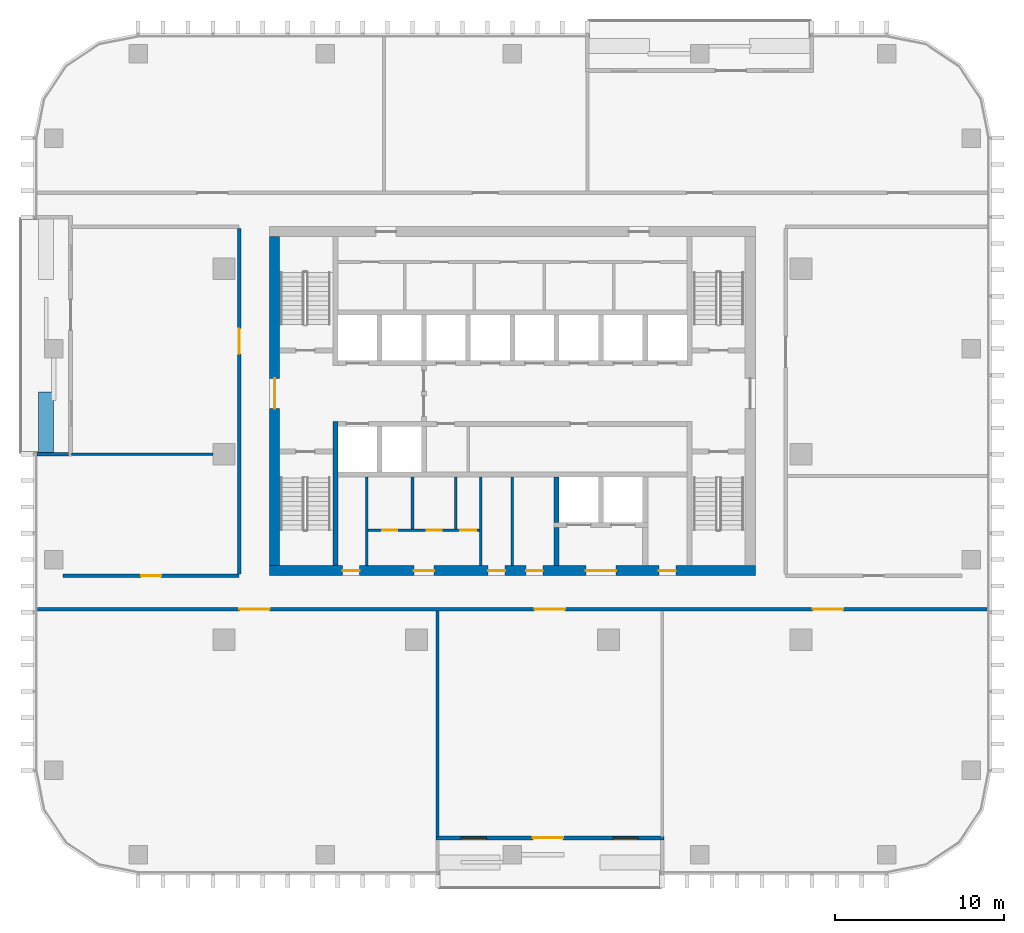
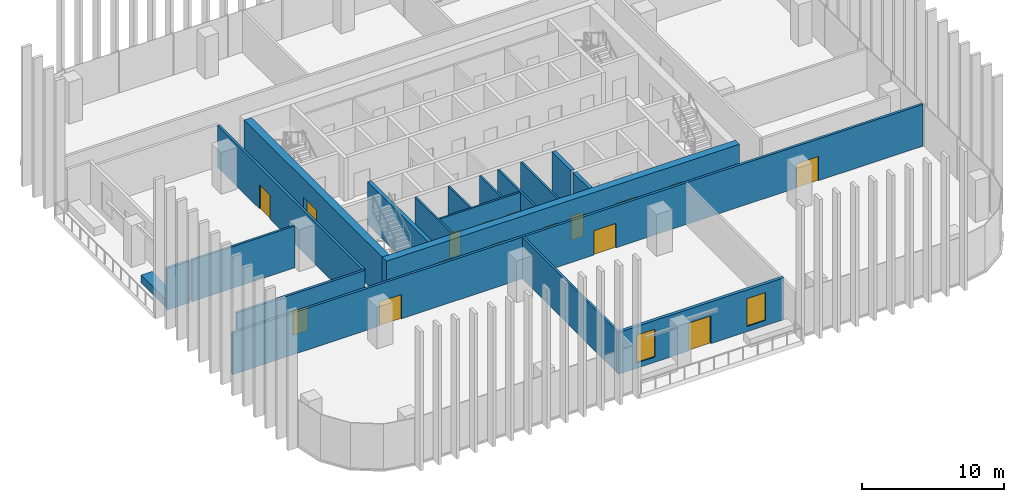
# One storey, part 7 of 16: 19 walls, 16 doors, 2 windows, 18 openings.
"""IFC4 building model written with IfcOpenShell, lengths in metres."""

from ifc_helpers import new_model, si_unit, direction, frame, frame_2d, origin, place, context, subcontext, project, spatial, rectangle, extrude, material, layer, layer_set, type_object, element, fill, save


model = new_model("IFC4")

# Units and contexts
model_context = context("Model", 3, precision=1e-05, world=origin(), true_north=direction((0.0, 1.0)))
body_context = subcontext(model_context, "Body", "Model", "MODEL_VIEW")
ifc_project = project(units=[si_unit("LENGTHUNIT", "METRE"), si_unit("AREAUNIT", "SQUARE_METRE"), si_unit("VOLUMEUNIT", "CUBIC_METRE"), si_unit("PLANEANGLEUNIT", "RADIAN"), si_unit("MASSUNIT", "GRAM", prefix="KILO")], contexts=[model_context])

# Site, building, storey
site_placement = place(None, origin())
site = spatial("IfcSite", under=ifc_project, at=site_placement, CompositionType="ELEMENT")
building_placement = place(site_placement, origin())
building = spatial("IfcBuilding", under=site, at=building_placement, Name="Mopane Tessera Tower", CompositionType="ELEMENT")
storey_placement = place(building_placement, frame((0.0, 0.0, 235.0)))
storey = spatial("IfcBuildingStorey", under=building, at=storey_placement, Name="L50", CompositionType="ELEMENT", Elevation=235.0)

# Wall
ifc_material_1 = material(Name="Fire-rated gypsum board partition")
ifc_layer_1 = layer(ifc_material_1, 0.14990234375)
ifc_layer_set_1 = layer_set([ifc_layer_1], Name="Fire-rated gypsum board partition")
wall_type_1 = type_object("IfcWallType", Name="Core room partition 150 mm", PredefinedType="PARTITIONING", material=ifc_layer_set_1)
wall_1_placement = place(storey_placement, frame((-8.625, -6.60009765625, 0.0), z_axis=(0.0, 0.0, 1.0), x_axis=(0.0, 1.0, 0.0)))
element("IfcWall", 1, at=wall_1_placement, inside=storey, type_object=wall_type_1, Name="L50 Room partition", PredefinedType="PARTITIONING", context=body_context, shape_type="SweptSolid", body=[
    extrude(rectangle(XDim=5.25, YDim=0.14990234375, at=frame_2d((2.625, 0.0))), origin(), (0.0, 0.0, 1.0), 3.699951171875),
])

# Wall, openings, doors
wall_2_placement = place(storey_placement, frame((-8.550048828125, -4.5, 0.0), z_axis=(0.0, 0.0, 1.0), x_axis=(1.0, 0.0, 0.0)))
wall_2 = element("IfcWall", 2, at=wall_2_placement, inside=storey, type_object=wall_type_1, Name="L50 WC partition", PredefinedType="PARTITIONING", context=body_context, shape_type="SweptSolid", body=[
    extrude(rectangle(XDim=6.60009765625, YDim=0.14990234375, at=frame_2d((3.300048828125, 0.0))), origin(), (0.0, 0.0, 1.0), 3.699951171875),
])
opening_1_placement = place(wall_2_placement, frame((0.824951171875, 0.0, 0.0)))
opening_1 = element("IfcOpeningElement", 3, at=opening_1_placement, cuts=wall_2, Name="Opening WD1", PredefinedType="OPENING", context=body_context, shape_type="SweptSolid", body=[
    extrude(rectangle(XDim=0.89990234375, YDim=2.10009765625, at=frame_2d((0.449951171875, 1.050048828125))), frame((0.0, 0.0869140625, 0.0), z_axis=(0.0, -1.0, 0.0), x_axis=(1.0, 0.0, 0.0)), (0.0, 0.0, 1.0), 0.173828125),
])
opening_2_placement = place(wall_2_placement, frame((3.45751953125, 0.0, 0.0)))
opening_2 = element("IfcOpeningElement", 4, at=opening_2_placement, cuts=wall_2, Name="Opening WD1", PredefinedType="OPENING", context=body_context, shape_type="SweptSolid", body=[
    extrude(rectangle(XDim=0.89990234375, YDim=2.10009765625, at=frame_2d((0.449951171875, 1.050048828125))), frame((0.0, 0.0869140625, 0.0), z_axis=(0.0, -1.0, 0.0), x_axis=(1.0, 0.0, 0.0)), (0.0, 0.0, 1.0), 0.173828125),
])
opening_3_placement = place(wall_2_placement, frame((5.45751953125, 0.0, 0.0)))
opening_3 = element("IfcOpeningElement", 5, at=opening_3_placement, cuts=wall_2, Name="Opening WD2", PredefinedType="OPENING", context=body_context, shape_type="SweptSolid", body=[
    extrude(rectangle(XDim=0.949951171875, YDim=2.10009765625, at=frame_2d((0.47509765625, 1.050048828125))), frame((0.0, 0.0869140625, 0.0), z_axis=(0.0, -1.0, 0.0), x_axis=(1.0, 0.0, 0.0)), (0.0, 0.0, 1.0), 0.173828125),
])
ifc_material_2 = material(Name="Timber door", Category="wood")
door_type_1 = type_object("IfcDoorType", Name="Accessible WC door 950 x 2100", OperationType="SINGLE_SWING_LEFT", PredefinedType="DOOR", material=ifc_material_2)
door_1_placement = place(opening_3_placement, origin())
door_1 = element("IfcDoor", 6, at=door_1_placement, inside=storey, type_object=door_type_1, Name="L50 Accessible WC door", OperationType="SINGLE_SWING_LEFT", OverallHeight=2.10009765625, OverallWidth=0.949951171875, PredefinedType="DOOR", context=body_context, shape_type="SweptSolid", body=[
    extrude(rectangle(XDim=0.949951171875, YDim=2.10009765625, at=frame_2d((0.47509765625, 1.050048828125))), frame((0.0, 0.02490234375, 0.0), z_axis=(0.0, -1.0, 0.0), x_axis=(1.0, 0.0, 0.0)), (0.0, 0.0, 1.0), 0.050048828125),
])
fill(opening_3, door_1)
ifc_material_3 = material(Name="Timber door", Category="wood")
door_type_2 = type_object("IfcDoorType", Name="WC cubicle door 900 x 2100", OperationType="SINGLE_SWING_LEFT", PredefinedType="DOOR", material=ifc_material_3)
door_2_placement = place(opening_1_placement, origin())
door_2 = element("IfcDoor", 7, at=door_2_placement, inside=storey, type_object=door_type_2, Name="L50 Men's WC door", OperationType="SINGLE_SWING_LEFT", OverallHeight=2.10009765625, OverallWidth=0.89990234375, PredefinedType="DOOR", context=body_context, shape_type="SweptSolid", body=[
    extrude(rectangle(XDim=0.89990234375, YDim=2.10009765625, at=frame_2d((0.449951171875, 1.050048828125))), frame((0.0, 0.02490234375, 0.0), z_axis=(0.0, -1.0, 0.0), x_axis=(1.0, 0.0, 0.0)), (0.0, 0.0, 1.0), 0.050048828125),
])
fill(opening_1, door_2)
door_3_placement = place(opening_2_placement, origin())
door_3 = element("IfcDoor", 8, at=door_3_placement, inside=storey, type_object=door_type_2, Name="L50 Women's WC door", OperationType="SINGLE_SWING_LEFT", OverallHeight=2.10009765625, OverallWidth=0.89990234375, PredefinedType="DOOR", context=body_context, shape_type="SweptSolid", body=[
    extrude(rectangle(XDim=0.89990234375, YDim=2.10009765625, at=frame_2d((0.449951171875, 1.050048828125))), frame((0.0, 0.02490234375, 0.0), z_axis=(0.0, -1.0, 0.0), x_axis=(1.0, 0.0, 0.0)), (0.0, 0.0, 1.0), 0.050048828125),
])
fill(opening_2, door_3)

# Walls
for number, where, z_axis, x_axis, name in (
    (9, (-5.925048828125, -4.425048828125, 0.0), (0.0, 0.0, 1.0), (0.0, 1.0, 0.0), "L50 WC partition"),
    (10, (-3.360107421875, -4.425048828125, 0.0), (0.0, 0.0, 1.0), (0.0, 1.0, 0.0), "L50 WC partition"),
):
    element("IfcWall", number, at=place(storey_placement, frame(where, z_axis=z_axis, x_axis=x_axis)), inside=storey, type_object=wall_type_1, Name=name, PredefinedType="PARTITIONING", context=body_context, shape_type="SweptSolid", body=[
        extrude(rectangle(XDim=3.074951171875, YDim=0.14990234375, at=frame_2d((1.53759765625, 0.0))), origin(), (0.0, 0.0, 1.0), 3.699951171875),
    ])
for number, where, z_axis, x_axis, name in (
    (11, (-1.875, -6.60009765625, 0.0), (0.0, 0.0, 1.0), (0.0, 1.0, 0.0), "L50 Room partition"),
    (12, (0.0, -6.60009765625, 0.0), (0.0, 0.0, 1.0), (0.0, 1.0, 0.0), "L50 Room partition"),
):
    element("IfcWall", number, at=place(storey_placement, frame(where, z_axis=z_axis, x_axis=x_axis)), inside=storey, type_object=wall_type_1, Name=name, PredefinedType="PARTITIONING", context=body_context, shape_type="SweptSolid", body=[
        extrude(rectangle(XDim=5.25, YDim=0.14990234375, at=frame_2d((2.625, 0.0))), origin(), (0.0, 0.0, 1.0), 3.699951171875),
    ])

# Wall, openings, doors
ifc_material_4 = material(Name="Concrete C70/85", Category="concrete")
ifc_layer_2 = layer(ifc_material_4, 0.60009765625)
ifc_layer_set_2 = layer_set([ifc_layer_2], Name="Concrete C70/85")
wall_type_2 = type_object("IfcWallType", Name="Core shear wall 600 mm", PredefinedType="SHEAR", material=ifc_layer_set_2)
wall_3_placement = place(storey_placement, frame((-14.39990234375, -6.89990234375, 0.0), z_axis=(0.0, 0.0, 1.0), x_axis=(1.0, 0.0, 0.0)))
wall_3 = element("IfcWall", 13, at=wall_3_placement, inside=storey, type_object=wall_type_2, Name="L50 Core wall south", PredefinedType="SHEAR", context=body_context, shape_type="SweptSolid", body=[
    extrude(rectangle(XDim=28.7998046875, YDim=0.60009765625, at=frame_2d((14.39990234375, 0.0))), origin(), (0.0, 0.0, 1.0), 3.699951171875),
])
opening_4_placement = place(wall_3_placement, frame((4.33740234375, 0.0, 0.0)))
opening_4 = element("IfcOpeningElement", 14, at=opening_4_placement, cuts=wall_3, Name="Opening RD1", PredefinedType="OPENING", context=body_context, shape_type="SweptSolid", body=[
    extrude(rectangle(XDim=1.0, YDim=2.10009765625, at=frame_2d((0.5, 1.050048828125))), frame((0.0, 0.31201171875, 0.0), z_axis=(0.0, -1.0, 0.0), x_axis=(1.0, 0.0, 0.0)), (0.0, 0.0, 1.0), 0.6240234375),
])
opening_5_placement = place(wall_3_placement, frame((8.550048828125, 0.0, 0.0)))
opening_5 = element("IfcOpeningElement", 15, at=opening_5_placement, cuts=wall_3, Name="Opening WD3", PredefinedType="OPENING", context=body_context, shape_type="SweptSolid", body=[
    extrude(rectangle(XDim=1.199951171875, YDim=2.10009765625, at=frame_2d((0.60009765625, 1.050048828125))), frame((0.0, 0.31201171875, 0.0), z_axis=(0.0, -1.0, 0.0), x_axis=(1.0, 0.0, 0.0)), (0.0, 0.0, 1.0), 0.6240234375),
])
opening_6_placement = place(wall_3_placement, frame((12.96240234375, 0.0, 0.0)))
opening_6 = element("IfcOpeningElement", 16, at=opening_6_placement, cuts=wall_3, Name="Opening RD1", PredefinedType="OPENING", context=body_context, shape_type="SweptSolid", body=[
    extrude(rectangle(XDim=1.0, YDim=2.10009765625, at=frame_2d((0.5, 1.050048828125))), frame((0.0, 0.31201171875, 0.0), z_axis=(0.0, -1.0, 0.0), x_axis=(1.0, 0.0, 0.0)), (0.0, 0.0, 1.0), 0.6240234375),
])
opening_7_placement = place(wall_3_placement, frame((15.21240234375, 0.0, 0.0)))
opening_7 = element("IfcOpeningElement", 17, at=opening_7_placement, cuts=wall_3, Name="Opening RD1", PredefinedType="OPENING", context=body_context, shape_type="SweptSolid", body=[
    extrude(rectangle(XDim=1.0, YDim=2.10009765625, at=frame_2d((0.5, 1.050048828125))), frame((0.0, 0.31201171875, 0.0), z_axis=(0.0, -1.0, 0.0), x_axis=(1.0, 0.0, 0.0)), (0.0, 0.0, 1.0), 0.6240234375),
])
opening_8_placement = place(wall_3_placement, frame((18.75, 0.0, 0.0)))
opening_8 = element("IfcOpeningElement", 18, at=opening_8_placement, cuts=wall_3, Name="Opening SD2", PredefinedType="OPENING", context=body_context, shape_type="SweptSolid", body=[
    extrude(rectangle(XDim=1.800048828125, YDim=2.10009765625, at=frame_2d((0.89990234375, 1.050048828125))), frame((0.0, 0.31201171875, 0.0), z_axis=(0.0, -1.0, 0.0), x_axis=(1.0, 0.0, 0.0)), (0.0, 0.0, 1.0), 0.6240234375),
])
opening_9_placement = place(wall_3_placement, frame((23.08740234375, 0.0, 0.0)))
opening_9 = element("IfcOpeningElement", 19, at=opening_9_placement, cuts=wall_3, Name="Opening RD1", PredefinedType="OPENING", context=body_context, shape_type="SweptSolid", body=[
    extrude(rectangle(XDim=1.0, YDim=2.10009765625, at=frame_2d((0.5, 1.050048828125))), frame((0.0, 0.31201171875, 0.0), z_axis=(0.0, -1.0, 0.0), x_axis=(1.0, 0.0, 0.0)), (0.0, 0.0, 1.0), 0.6240234375),
])
ifc_material_5 = material(Name="Steel fire door", Category="steel")
door_type_3 = type_object("IfcDoorType", Name="Core entrance double door 1800 x 2100", OperationType="DOUBLE_DOOR_SINGLE_SWING", PredefinedType="DOOR", material=ifc_material_5)
door_4_placement = place(opening_8_placement, origin())
door_4 = element("IfcDoor", 20, at=door_4_placement, inside=storey, type_object=door_type_3, Name="L50 Service lobby door", OperationType="DOUBLE_DOOR_SINGLE_SWING", OverallHeight=2.10009765625, OverallWidth=1.800048828125, PredefinedType="DOOR", context=body_context, shape_type="SweptSolid", body=[
    extrude(rectangle(XDim=1.800048828125, YDim=2.10009765625, at=frame_2d((0.89990234375, 1.050048828125))), frame((0.0, 0.02490234375, 0.0), z_axis=(0.0, -1.0, 0.0), x_axis=(1.0, 0.0, 0.0)), (0.0, 0.0, 1.0), 0.050048828125),
])
fill(opening_8, door_4)
ifc_material_6 = material(Name="Timber door", Category="wood")
door_type_4 = type_object("IfcDoorType", Name="Core room door 1000 x 2100", OperationType="SINGLE_SWING_LEFT", PredefinedType="DOOR", material=ifc_material_6)
door_5_placement = place(opening_4_placement, origin())
door_5 = element("IfcDoor", 21, at=door_5_placement, inside=storey, type_object=door_type_4, Name="L50 Room door", OperationType="SINGLE_SWING_LEFT", OverallHeight=2.10009765625, OverallWidth=1.0, PredefinedType="DOOR", context=body_context, shape_type="SweptSolid", body=[
    extrude(rectangle(XDim=1.0, YDim=2.10009765625, at=frame_2d((0.5, 1.050048828125))), frame((0.0, 0.02490234375, 0.0), z_axis=(0.0, -1.0, 0.0), x_axis=(1.0, 0.0, 0.0)), (0.0, 0.0, 1.0), 0.050048828125),
])
fill(opening_4, door_5)
door_6_placement = place(opening_6_placement, origin())
door_6 = element("IfcDoor", 22, at=door_6_placement, inside=storey, type_object=door_type_4, Name="L50 Room door", OperationType="SINGLE_SWING_LEFT", OverallHeight=2.10009765625, OverallWidth=1.0, PredefinedType="DOOR", context=body_context, shape_type="SweptSolid", body=[
    extrude(rectangle(XDim=1.0, YDim=2.10009765625, at=frame_2d((0.5, 1.050048828125))), frame((0.0, 0.02490234375, 0.0), z_axis=(0.0, -1.0, 0.0), x_axis=(1.0, 0.0, 0.0)), (0.0, 0.0, 1.0), 0.050048828125),
])
fill(opening_6, door_6)
door_7_placement = place(opening_7_placement, origin())
door_7 = element("IfcDoor", 23, at=door_7_placement, inside=storey, type_object=door_type_4, Name="L50 Room door", OperationType="SINGLE_SWING_LEFT", OverallHeight=2.10009765625, OverallWidth=1.0, PredefinedType="DOOR", context=body_context, shape_type="SweptSolid", body=[
    extrude(rectangle(XDim=1.0, YDim=2.10009765625, at=frame_2d((0.5, 1.050048828125))), frame((0.0, 0.02490234375, 0.0), z_axis=(0.0, -1.0, 0.0), x_axis=(1.0, 0.0, 0.0)), (0.0, 0.0, 1.0), 0.050048828125),
])
fill(opening_7, door_7)
door_8_placement = place(opening_9_placement, origin())
door_8 = element("IfcDoor", 24, at=door_8_placement, inside=storey, type_object=door_type_4, Name="L50 Room door", OperationType="SINGLE_SWING_LEFT", OverallHeight=2.10009765625, OverallWidth=1.0, PredefinedType="DOOR", context=body_context, shape_type="SweptSolid", body=[
    extrude(rectangle(XDim=1.0, YDim=2.10009765625, at=frame_2d((0.5, 1.050048828125))), frame((0.0, 0.02490234375, 0.0), z_axis=(0.0, -1.0, 0.0), x_axis=(1.0, 0.0, 0.0)), (0.0, 0.0, 1.0), 0.050048828125),
])
fill(opening_9, door_8)
ifc_material_7 = material(Name="Timber door", Category="wood")
door_type_5 = type_object("IfcDoorType", Name="WC lobby door 1200 x 2100", OperationType="SINGLE_SWING_LEFT", PredefinedType="DOOR", material=ifc_material_7)
door_9_placement = place(opening_5_placement, origin())
door_9 = element("IfcDoor", 25, at=door_9_placement, inside=storey, type_object=door_type_5, Name="L50 WC lobby door", OperationType="SINGLE_SWING_LEFT", OverallHeight=2.10009765625, OverallWidth=1.199951171875, PredefinedType="DOOR", context=body_context, shape_type="SweptSolid", body=[
    extrude(rectangle(XDim=1.199951171875, YDim=2.10009765625, at=frame_2d((0.60009765625, 1.050048828125))), frame((0.0, 0.02490234375, 0.0), z_axis=(0.0, -1.0, 0.0), x_axis=(1.0, 0.0, 0.0)), (0.0, 0.0, 1.0), 0.050048828125),
])
fill(opening_5, door_9)

# Wall, opening, door
wall_4_placement = place(storey_placement, frame((-14.10009765625, -6.60009765625, 0.0), z_axis=(0.0, 0.0, 1.0), x_axis=(0.0, 1.0, 0.0)))
wall_4 = element("IfcWall", 26, at=wall_4_placement, inside=storey, type_object=wall_type_2, Name="L50 Core wall west", PredefinedType="SHEAR", context=body_context, shape_type="SweptSolid", body=[
    extrude(rectangle(XDim=19.5, YDim=0.60009765625, at=frame_2d((9.75, 0.0))), origin(), (0.0, 0.0, 1.0), 3.699951171875),
])
opening_10_placement = place(wall_4_placement, frame((9.300048828125, 0.0, 0.0)))
opening_10 = element("IfcOpeningElement", 27, at=opening_10_placement, cuts=wall_4, Name="Opening SD2", PredefinedType="OPENING", context=body_context, shape_type="SweptSolid", body=[
    extrude(rectangle(XDim=1.800048828125, YDim=2.10009765625, at=frame_2d((0.89990234375, 1.050048828125))), frame((0.0, 0.31201171875, 0.0), z_axis=(0.0, -1.0, 0.0), x_axis=(1.0, 0.0, 0.0)), (0.0, 0.0, 1.0), 0.6240234375),
])
door_10_placement = place(opening_10_placement, origin())
door_10 = element("IfcDoor", 28, at=door_10_placement, inside=storey, type_object=door_type_3, Name="L50 Core entrance door west", OperationType="DOUBLE_DOOR_SINGLE_SWING", OverallHeight=2.10009765625, OverallWidth=1.800048828125, PredefinedType="DOOR", context=body_context, shape_type="SweptSolid", body=[
    extrude(rectangle(XDim=1.800048828125, YDim=2.10009765625, at=frame_2d((0.89990234375, 1.050048828125))), frame((0.0, 0.02490234375, 0.0), z_axis=(0.0, -1.0, 0.0), x_axis=(1.0, 0.0, 0.0)), (0.0, 0.0, 1.0), 0.050048828125),
])
fill(opening_10, door_10)

# Walls
ifc_material_8 = material(Name="Concrete C60/75", Category="concrete")
ifc_layer_3 = layer(ifc_material_8, 0.300048828125)
ifc_layer_set_3 = layer_set([ifc_layer_3], Name="Concrete C60/75")
wall_type_3 = type_object("IfcWallType", Name="Core spine wall 300 mm", PredefinedType="SHEAR", material=ifc_layer_set_3)
wall_5_placement = place(storey_placement, frame((-10.5, -6.60009765625, 0.0), z_axis=(0.0, 0.0, 1.0), x_axis=(0.0, 1.0, 0.0)))
element("IfcWall", 29, at=wall_5_placement, inside=storey, type_object=wall_type_3, Name="L50 Core spine wall", PredefinedType="SHEAR", context=body_context, shape_type="SweptSolid", body=[
    extrude(rectangle(XDim=8.550048828125, YDim=0.300048828125, at=frame_2d((4.27490234375, 0.0))), origin(), (0.0, 0.0, 1.0), 3.699951171875),
])
ifc_material_9 = material(Name="Gypsum board on staggered steel studs, double layer each face, acoustic mineral wool infill", Category="steel")
ifc_layer_4 = layer(ifc_material_9, 0.175048828125)
ifc_layer_set_4 = layer_set([ifc_layer_4], Name="Gypsum board on staggered steel studs, double layer each face, acoustic mineral wool infill")
wall_type_4 = type_object("IfcWallType", Name="Gypsum board acoustic partition 175, rated EI 60", PredefinedType="PARTITIONING", material=ifc_layer_set_4)
wall_6_placement = place(storey_placement, frame((-26.14990234375, 0.0, 0.0), z_axis=(0.0, 0.0, 1.0), x_axis=(1.0, 0.0, 0.0)))
element("IfcWall", 30, at=wall_6_placement, inside=storey, type_object=wall_type_4, Name="Partition L50:004", PredefinedType="PARTITIONING", context=body_context, shape_type="SweptSolid", body=[
    extrude(rectangle(XDim=8.39990234375, YDim=0.175048828125, at=frame_2d((4.199951171875, 0.0))), origin(), (0.0, 0.0, 1.0), 3.60009765625),
])
wall_7_placement = place(storey_placement, frame((-4.43994140625, -22.699951171875, 0.0), z_axis=(0.0, 0.0, 1.0), x_axis=(0.0, 1.0, 0.0)))
element("IfcWall", 31, at=wall_7_placement, inside=storey, type_object=wall_type_4, Name="Partition L50:011", PredefinedType="PARTITIONING", context=body_context, shape_type="SweptSolid", body=[
    extrude(rectangle(XDim=13.39990234375, YDim=0.175048828125, at=frame_2d((6.699951171875, 0.0))), origin(), (0.0, 0.0, 1.0), 3.60009765625),
])

# Wall, openings, doors
ifc_material_10 = material(Name="Gypsum board on steel studs, two layers each face, mineral wool infill", Category="steel")
ifc_layer_5 = layer(ifc_material_10, 0.199951171875)
ifc_layer_set_5 = layer_set([ifc_layer_5], Name="Gypsum board on steel studs, two layers each face, mineral wool infill")
wall_type_5 = type_object("IfcWallType", Name="Gypsum board corridor wall 200, rated EI 60", PredefinedType="PARTITIONING", material=ifc_layer_set_5)
wall_8_placement = place(storey_placement, frame((-28.14990234375, -9.199951171875, 0.0), z_axis=(0.0, 0.0, 1.0), x_axis=(1.0, 0.0, 0.0)))
wall_8 = element("IfcWall", 32, at=wall_8_placement, inside=storey, type_object=wall_type_5, Name="Partition L50:000", PredefinedType="PARTITIONING", context=body_context, shape_type="SweptSolid", body=[
    extrude(rectangle(XDim=56.2998046875, YDim=0.199951171875, at=frame_2d((28.14990234375, 0.0))), origin(), (0.0, 0.0, 1.0), 3.60009765625),
])
opening_11_placement = place(wall_8_placement, frame((29.469970703125, 0.0, 0.0)))
opening_11 = element("IfcOpeningElement", 33, at=opening_11_placement, cuts=wall_8, Name="Opening L50-02", PredefinedType="OPENING", context=body_context, shape_type="SweptSolid", body=[
    extrude(rectangle(XDim=1.800048828125, YDim=2.10009765625, at=frame_2d((0.89990234375, 1.050048828125))), frame((0.0, 0.112060546875, 0.0), z_axis=(0.0, -1.0, 0.0), x_axis=(1.0, 0.0, 0.0)), (0.0, 0.0, 1.0), 0.223876953125),
])
opening_12_placement = place(wall_8_placement, frame((45.965087890625, 0.0, 0.0)))
opening_12 = element("IfcOpeningElement", 34, at=opening_12_placement, cuts=wall_8, Name="Opening L50-06", PredefinedType="OPENING", context=body_context, shape_type="SweptSolid", body=[
    extrude(rectangle(XDim=1.800048828125, YDim=2.10009765625, at=frame_2d((0.89990234375, 1.050048828125))), frame((0.0, 0.112060546875, 0.0), z_axis=(0.0, -1.0, 0.0), x_axis=(1.0, 0.0, 0.0)), (0.0, 0.0, 1.0), 0.223876953125),
])
opening_13_placement = place(wall_8_placement, frame((11.955078125, 0.0, 0.0)))
opening_13 = element("IfcOpeningElement", 35, at=opening_13_placement, cuts=wall_8, Name="Opening L50-09", PredefinedType="OPENING", context=body_context, shape_type="SweptSolid", body=[
    extrude(rectangle(XDim=1.800048828125, YDim=2.10009765625, at=frame_2d((0.89990234375, 1.050048828125))), frame((0.0, 0.112060546875, 0.0), z_axis=(0.0, -1.0, 0.0), x_axis=(1.0, 0.0, 0.0)), (0.0, 0.0, 1.0), 0.223876953125),
])
ifc_material_11 = material(Name="Timber veneered steel-framed fire door", Category="steel")
door_type_6 = type_object("IfcDoorType", Name="Fire door pair FD60 1800 x 2100", OperationType="DOUBLE_DOOR_SINGLE_SWING", PredefinedType="DOOR", material=ifc_material_11)
door_11_placement = place(opening_11_placement, origin())
door_11 = element("IfcDoor", 36, at=door_11_placement, inside=storey, type_object=door_type_6, Name="Door L50-02", ObjectType="D20A", OperationType="DOUBLE_DOOR_SINGLE_SWING", OverallHeight=2.10009765625, OverallWidth=1.800048828125, PredefinedType="DOOR", context=body_context, shape_type="SweptSolid", body=[
    extrude(rectangle(XDim=1.800048828125, YDim=2.10009765625, at=frame_2d((0.89990234375, 1.050048828125))), frame((0.0, 0.02490234375, 0.0), z_axis=(0.0, -1.0, 0.0), x_axis=(1.0, 0.0, 0.0)), (0.0, 0.0, 1.0), 0.050048828125),
])
fill(opening_11, door_11)
door_12_placement = place(opening_12_placement, origin())
door_12 = element("IfcDoor", 37, at=door_12_placement, inside=storey, type_object=door_type_6, Name="Door L50-06", ObjectType="D20A", OperationType="DOUBLE_DOOR_SINGLE_SWING", OverallHeight=2.10009765625, OverallWidth=1.800048828125, PredefinedType="DOOR", context=body_context, shape_type="SweptSolid", body=[
    extrude(rectangle(XDim=1.800048828125, YDim=2.10009765625, at=frame_2d((0.89990234375, 1.050048828125))), frame((0.0, 0.02490234375, 0.0), z_axis=(0.0, -1.0, 0.0), x_axis=(1.0, 0.0, 0.0)), (0.0, 0.0, 1.0), 0.050048828125),
])
fill(opening_12, door_12)
door_13_placement = place(opening_13_placement, origin())
door_13 = element("IfcDoor", 38, at=door_13_placement, inside=storey, type_object=door_type_6, Name="Door L50-09", ObjectType="D20A", OperationType="DOUBLE_DOOR_SINGLE_SWING", OverallHeight=2.10009765625, OverallWidth=1.800048828125, PredefinedType="DOOR", context=body_context, shape_type="SweptSolid", body=[
    extrude(rectangle(XDim=1.800048828125, YDim=2.10009765625, at=frame_2d((0.89990234375, 1.050048828125))), frame((0.0, 0.02490234375, 0.0), z_axis=(0.0, -1.0, 0.0), x_axis=(1.0, 0.0, 0.0)), (0.0, 0.0, 1.0), 0.050048828125),
])
fill(opening_13, door_13)

# Wall, opening, door
wall_9_placement = place(storey_placement, frame((-26.64990234375, -7.199951171875, 0.0), z_axis=(0.0, 0.0, 1.0), x_axis=(1.0, 0.0, 0.0)))
wall_9 = element("IfcWall", 39, at=wall_9_placement, inside=storey, type_object=wall_type_5, Name="Partition L50:001", PredefinedType="PARTITIONING", context=body_context, shape_type="SweptSolid", body=[
    extrude(rectangle(XDim=10.449951171875, YDim=0.199951171875, at=frame_2d((5.22509765625, 0.0))), origin(), (0.0, 0.0, 1.0), 3.60009765625),
])
opening_14_placement = place(wall_9_placement, frame((4.625, 0.0, 0.0)))
opening_14 = element("IfcOpeningElement", 40, at=opening_14_placement, cuts=wall_9, Name="Opening L50-08", PredefinedType="OPENING", context=body_context, shape_type="SweptSolid", body=[
    extrude(rectangle(XDim=1.199951171875, YDim=2.10009765625, at=frame_2d((0.60009765625, 1.050048828125))), frame((0.0, 0.112060546875, 0.0), z_axis=(0.0, -1.0, 0.0), x_axis=(1.0, 0.0, 0.0)), (0.0, 0.0, 1.0), 0.223876953125),
])
ifc_material_12 = material(Name="Timber veneered steel-framed fire door", Category="steel")
door_type_7 = type_object("IfcDoorType", Name="Fire door FD60 1200 x 2100", OperationType="SINGLE_SWING_LEFT", PredefinedType="DOOR", material=ifc_material_12)
door_14_placement = place(opening_14_placement, origin())
door_14 = element("IfcDoor", 41, at=door_14_placement, inside=storey, type_object=door_type_7, Name="Door L50-08", ObjectType="D15A", OperationType="SINGLE_SWING_LEFT", OverallHeight=2.10009765625, OverallWidth=1.199951171875, PredefinedType="DOOR", context=body_context, shape_type="SweptSolid", body=[
    extrude(rectangle(XDim=1.199951171875, YDim=2.10009765625, at=frame_2d((0.60009765625, 1.050048828125))), frame((0.0, 0.02490234375, 0.0), z_axis=(0.0, -1.0, 0.0), x_axis=(1.0, 0.0, 0.0)), (0.0, 0.0, 1.0), 0.050048828125),
])
fill(opening_14, door_14)

wall_10_placement = place(storey_placement, frame((-16.199951171875, -7.10009765625, 0.0), z_axis=(0.0, 0.0, 1.0), x_axis=(0.0, 1.0, 0.0)))
wall_10 = element("IfcWall", 42, at=wall_10_placement, inside=storey, type_object=wall_type_5, Name="Partition L50:009", PredefinedType="PARTITIONING", context=body_context, shape_type="SweptSolid", body=[
    extrude(rectangle(XDim=20.5, YDim=0.199951171875, at=frame_2d((10.25, 0.0))), origin(), (0.0, 0.0, 1.0), 3.60009765625),
])
opening_15_placement = place(wall_10_placement, frame((13.050048828125, 0.0, 0.0)))
opening_15 = element("IfcOpeningElement", 43, at=opening_15_placement, cuts=wall_10, Name="Opening L50-01", PredefinedType="OPENING", context=body_context, shape_type="SweptSolid", body=[
    extrude(rectangle(XDim=1.5, YDim=2.10009765625, at=frame_2d((0.75, 1.050048828125))), frame((0.0, 0.112060546875, 0.0), z_axis=(0.0, -1.0, 0.0), x_axis=(1.0, 0.0, 0.0)), (0.0, 0.0, 1.0), 0.223876953125),
])
ifc_material_13 = material(Name="Timber veneered steel-framed fire door", Category="steel")
door_type_8 = type_object("IfcDoorType", Name="Fire door pair FD60 1500 x 2100", OperationType="DOUBLE_DOOR_SINGLE_SWING", PredefinedType="DOOR", material=ifc_material_13)
door_15_placement = place(opening_15_placement, origin())
door_15 = element("IfcDoor", 44, at=door_15_placement, inside=storey, type_object=door_type_8, Name="Door L50-01", ObjectType="D17A", OperationType="DOUBLE_DOOR_SINGLE_SWING", OverallHeight=2.10009765625, OverallWidth=1.5, PredefinedType="DOOR", context=body_context, shape_type="SweptSolid", body=[
    extrude(rectangle(XDim=1.5, YDim=2.10009765625, at=frame_2d((0.75, 1.050048828125))), frame((0.0, 0.02490234375, 0.0), z_axis=(0.0, -1.0, 0.0), x_axis=(1.0, 0.0, 0.0)), (0.0, 0.0, 1.0), 0.050048828125),
])
fill(opening_15, door_15)

# Walls
ifc_material_14 = material(Name="Concrete C50/60", Category="concrete")
ifc_layer_6 = layer(ifc_material_14, 0.300048828125)
ifc_layer_set_6 = layer_set([ifc_layer_6], Name="Concrete C50/60")
wall_type_6 = type_object("IfcWallType", Name="Lift and stair shaft wall 300 mm", PredefinedType="SOLIDWALL", material=ifc_layer_set_6)
wall_11_placement = place(storey_placement, frame((2.625, -4.050048828125, 0.0), z_axis=(0.0, 0.0, 1.0), x_axis=(0.0, 1.0, 0.0)))
element("IfcWall", 45, at=wall_11_placement, inside=storey, type_object=wall_type_6, Name="L50 Lift shaft wall", PredefinedType="SOLIDWALL", context=body_context, shape_type="SweptSolid", body=[
    extrude(rectangle(XDim=2.699951171875, YDim=0.300048828125, at=frame_2d((1.35009765625, 0.0))), origin(), (0.0, 0.0, 1.0), 3.699951171875),
])
ifc_material_15 = material(Name="Concrete C50/60", Category="concrete")
ifc_layer_7 = layer(ifc_material_15, 0.300048828125)
ifc_layer_set_7 = layer_set([ifc_layer_7], Name="Concrete C50/60")
wall_type_7 = type_object("IfcWallType", Name="Lobby and refuge room wall 300 mm", PredefinedType="SOLIDWALL", material=ifc_layer_set_7)
wall_12_placement = place(storey_placement, frame((2.625, -6.60009765625, 0.0), z_axis=(0.0, 0.0, 1.0), x_axis=(0.0, 1.0, 0.0)))
element("IfcWall", 46, at=wall_12_placement, inside=storey, type_object=wall_type_7, Name="L50 Service lobby wall", PredefinedType="SOLIDWALL", context=body_context, shape_type="SweptSolid", body=[
    extrude(rectangle(XDim=2.25, YDim=0.300048828125, at=frame_2d((1.125, 0.0))), origin(), (0.0, 0.0, 1.0), 3.699951171875),
])
ifc_material_16 = material(Name="Reinforced concrete C32/40 with waterproofing", Category="concrete")
ifc_layer_8 = layer(ifc_material_16, 0.89990234375)
ifc_layer_set_8 = layer_set([ifc_layer_8], Name="Reinforced concrete C32/40 with waterproofing")
wall_type_8 = type_object("IfcWallType", Name="Planter trough 3600 x 900", PredefinedType="STANDARD", material=ifc_layer_set_8)
wall_13_placement = place(storey_placement, frame((-27.64990234375, 3.699951171875, 0.0), z_axis=(0.0, 0.0, 1.0), x_axis=(0.0, -1.0, 0.0)))
element("IfcWall", 47, at=wall_13_placement, inside=storey, type_object=wall_type_8, Name="e:nw:L50:N3:pl1", PredefinedType="STANDARD", context=body_context, shape_type="SweptSolid", body=[
    extrude(rectangle(XDim=3.599853515625, YDim=0.89990234375, at=frame_2d((1.7998046875, 0.0))), origin(), (0.0, 0.0, 1.0), 0.699951171875),
])
ifc_material_17 = material(Name="Blockwork with glazed tile facing", Category="masonry")
ifc_layer_9 = layer(ifc_material_17, 0.199951171875)
ifc_layer_set_9 = layer_set([ifc_layer_9], Name="Blockwork with glazed tile facing")
wall_type_9 = type_object("IfcWallType", Name="Terrace cheek wall 200", PredefinedType="STANDARD", material=ifc_layer_set_9)
wall_14_placement = place(storey_placement, frame((-28.199951171875, 0.0, 0.0), z_axis=(0.0, 0.0, 1.0), x_axis=(1.0, 0.0, 0.0)))
element("IfcWall", 48, at=wall_14_placement, inside=storey, type_object=wall_type_9, Name="e:nw:L50:N3:cheekb", PredefinedType="STANDARD", context=body_context, shape_type="SweptSolid", body=[
    extrude(rectangle(XDim=1.875, YDim=0.199951171875, at=frame_2d((0.9375, 0.0))), origin(), (0.0, 0.0, 1.0), 3.60009765625),
])

# Wall, openings, windows, door
ifc_material_18 = material(Name="Blockwork with ochre glazed tile facing", Category="masonry")
ifc_layer_10 = layer(ifc_material_18, 0.25)
ifc_layer_set_10 = layer_set([ifc_layer_10], Name="Blockwork with ochre glazed tile facing")
wall_type_10 = type_object("IfcWallType", Name="Tile-clad external wall 250, ochre", PredefinedType="STANDARD", material=ifc_layer_set_10)
wall_15_placement = place(storey_placement, frame((-4.5400390625, -22.75, 0.0), z_axis=(0.0, 0.0, 1.0), x_axis=(1.0, 0.0, 0.0)))
wall_15 = element("IfcWall", 49, at=wall_15_placement, inside=storey, type_object=wall_type_10, Name="e:nw:L50:N1:back", PredefinedType="STANDARD", context=body_context, shape_type="SweptSolid", body=[
    extrude(rectangle(XDim=13.52001953125, YDim=0.25, at=frame_2d((6.760009765625, 0.0))), origin(), (0.0, 0.0, 1.0), 3.60009765625),
])
opening_16_placement = place(wall_15_placement, frame((1.5, 0.0, 0.449951171875)))
opening_16 = element("IfcOpeningElement", 50, at=opening_16_placement, cuts=wall_15, Name="Opening NW501A", PredefinedType="OPENING", context=body_context, shape_type="SweptSolid", body=[
    extrude(rectangle(XDim=1.5, YDim=2.39990234375, at=frame_2d((0.75, 1.199951171875))), frame((0.0, 0.136962890625, 0.0), z_axis=(0.0, -1.0, 0.0), x_axis=(1.0, 0.0, 0.0)), (0.0, 0.0, 1.0), 0.27392578125),
])
opening_17_placement = place(wall_15_placement, frame((5.75, 0.0, 0.0)))
opening_17 = element("IfcOpeningElement", 51, at=opening_17_placement, cuts=wall_15, Name="Opening ND501", PredefinedType="OPENING", context=body_context, shape_type="SweptSolid", body=[
    extrude(rectangle(XDim=1.800048828125, YDim=2.39990234375, at=frame_2d((0.89990234375, 1.199951171875))), frame((0.0, 0.136962890625, 0.0), z_axis=(0.0, -1.0, 0.0), x_axis=(1.0, 0.0, 0.0)), (0.0, 0.0, 1.0), 0.27392578125),
])
opening_18_placement = place(wall_15_placement, frame((10.5, 0.0, 0.449951171875)))
opening_18 = element("IfcOpeningElement", 52, at=opening_18_placement, cuts=wall_15, Name="Opening NW501B", PredefinedType="OPENING", context=body_context, shape_type="SweptSolid", body=[
    extrude(rectangle(XDim=1.5, YDim=2.39990234375, at=frame_2d((0.75, 1.199951171875))), frame((0.0, 0.136962890625, 0.0), z_axis=(0.0, -1.0, 0.0), x_axis=(1.0, 0.0, 0.0)), (0.0, 0.0, 1.0), 0.27392578125),
])
ifc_material_19 = material(Name="Clear laminated glass", Category="glass")
window_type = type_object("IfcWindowType", Name="Fixed window 1500 x 2400", PartitioningType="SINGLE_PANEL", PredefinedType="WINDOW", material=ifc_material_19)
window_1_placement = place(opening_16_placement, origin())
window_1 = element("IfcWindow", 53, at=window_1_placement, inside=storey, type_object=window_type, Name="e:nw:L50:N1:win0", OverallHeight=2.39990234375, OverallWidth=1.5, PartitioningType="SINGLE_PANEL", PredefinedType="WINDOW", context=body_context, shape_type="SweptSolid", body=[
    extrude(rectangle(XDim=1.5, YDim=2.39990234375, at=frame_2d((0.75, 1.199951171875))), frame((0.0, 0.030029296875, 0.0), z_axis=(0.0, -1.0, 0.0), x_axis=(1.0, 0.0, 0.0)), (0.0, 0.0, 1.0), 0.06005859375),
])
fill(opening_16, window_1)
window_2_placement = place(opening_18_placement, origin())
window_2 = element("IfcWindow", 54, at=window_2_placement, inside=storey, type_object=window_type, Name="e:nw:L50:N1:win2", OverallHeight=2.39990234375, OverallWidth=1.5, PartitioningType="SINGLE_PANEL", PredefinedType="WINDOW", context=body_context, shape_type="SweptSolid", body=[
    extrude(rectangle(XDim=1.5, YDim=2.39990234375, at=frame_2d((0.75, 1.199951171875))), frame((0.0, 0.030029296875, 0.0), z_axis=(0.0, -1.0, 0.0), x_axis=(1.0, 0.0, 0.0)), (0.0, 0.0, 1.0), 0.06005859375),
])
fill(opening_18, window_2)
ifc_material_20 = material(Name="Aluminium and clear glass", Category="aluminium")
door_type_9 = type_object("IfcDoorType", Name="Terrace double door 1800 x 2400", OperationType="DOUBLE_DOOR_SINGLE_SWING", PredefinedType="DOOR", material=ifc_material_20)
door_16_placement = place(opening_17_placement, origin())
door_16 = element("IfcDoor", 55, at=door_16_placement, inside=storey, type_object=door_type_9, Name="e:nw:L50:N1:door", ObjectType="D1", OperationType="DOUBLE_DOOR_SINGLE_SWING", OverallHeight=2.39990234375, OverallWidth=1.800048828125, PredefinedType="DOOR", context=body_context, shape_type="SweptSolid", body=[
    extrude(rectangle(XDim=1.800048828125, YDim=2.39990234375, at=frame_2d((0.89990234375, 1.199951171875))), frame((0.0, 0.02490234375, 0.0), z_axis=(0.0, -1.0, 0.0), x_axis=(1.0, 0.0, 0.0)), (0.0, 0.0, 1.0), 0.050048828125),
])
fill(opening_17, door_16)

save(model, "model.ifc")
